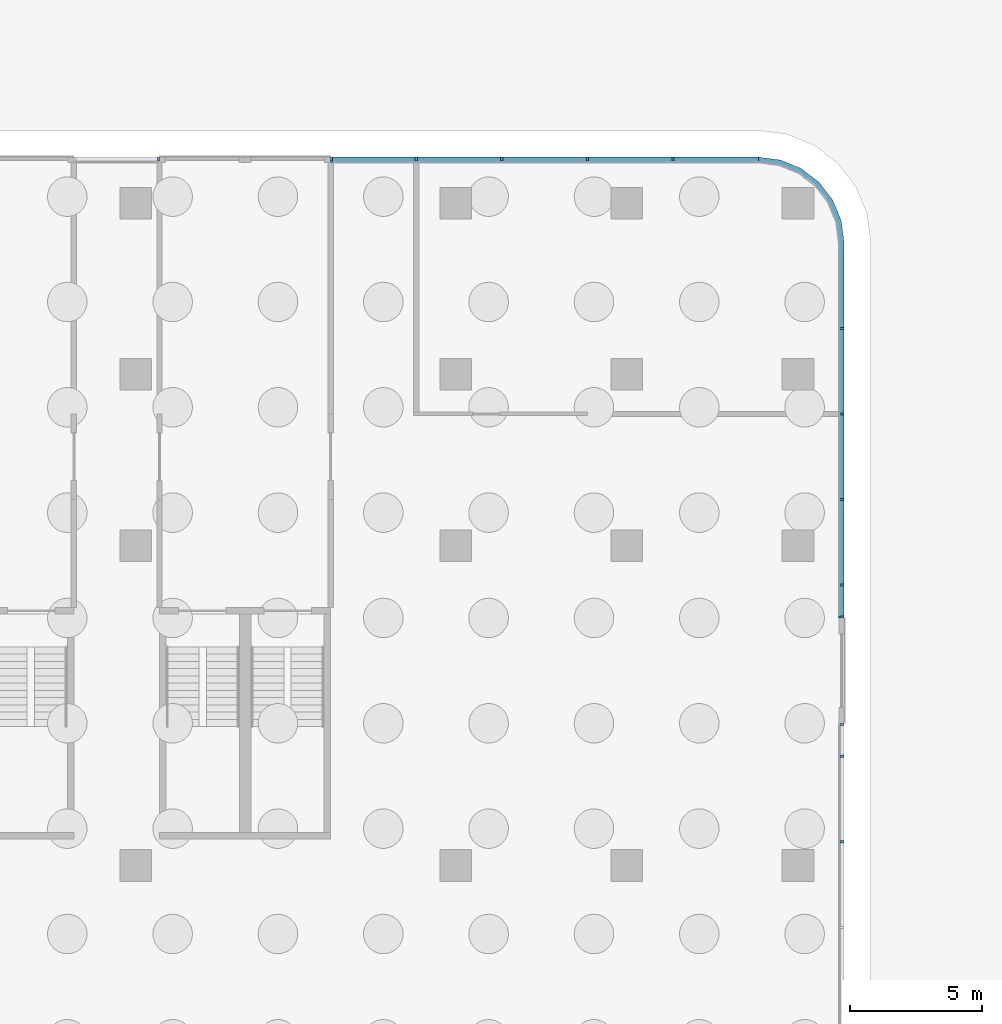
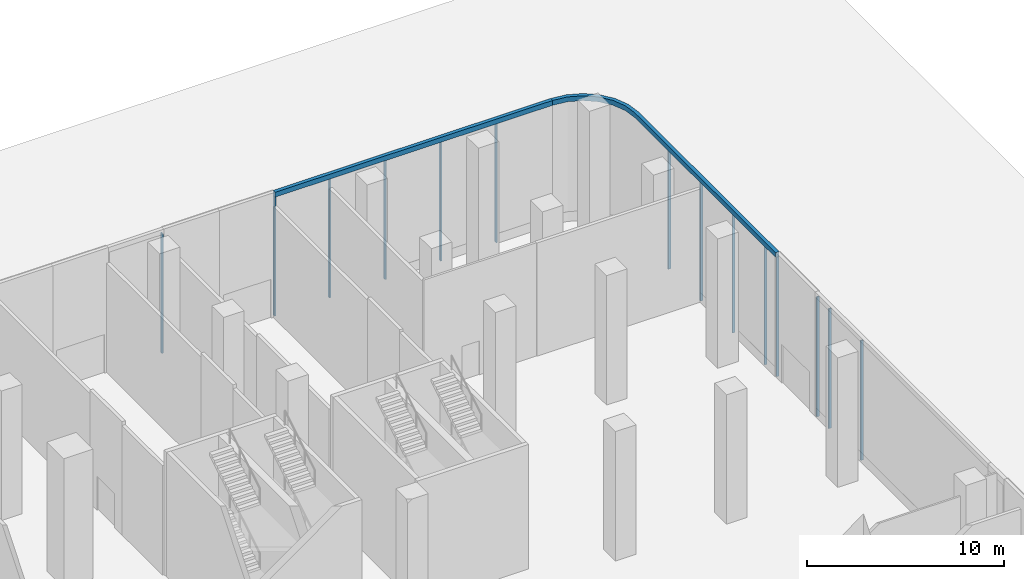
# One storey, part 12 of 27: 16 members, 4 elements without a shape of their own.
"""IFC4 building model written with IfcOpenShell, lengths in metres."""

from ifc_helpers import new_model, si_unit, direction, frame, origin, origin_2d, place, context, subcontext, project, spatial, polyline, rectangle, outline, extrude, source, transform, mapped, material, layer, layer_set, material_profile, profile_set, type_object, element, aggregate, save


model = new_model("IFC4")

# Units and contexts
model_context = context("Model", 3, precision=1e-05, world=origin(), true_north=direction((0.0, 1.0)))
body_context = subcontext(model_context, "Body", "Model", "MODEL_VIEW")
ifc_project = project(units=[si_unit("LENGTHUNIT", "METRE"), si_unit("AREAUNIT", "SQUARE_METRE"), si_unit("VOLUMEUNIT", "CUBIC_METRE"), si_unit("PLANEANGLEUNIT", "RADIAN"), si_unit("MASSUNIT", "GRAM", prefix="KILO")], contexts=[model_context])

# Site, building, storey
site_placement = place(None, origin())
site = spatial("IfcSite", under=ifc_project, at=site_placement, CompositionType="ELEMENT")
building_placement = place(site_placement, origin())
building = spatial("IfcBuilding", under=site, at=building_placement, Name="Trellis Farm Tower", CompositionType="ELEMENT")
storey_placement = place(building_placement, origin())
storey = spatial("IfcBuildingStorey", under=building, at=storey_placement, Name="L00", CompositionType="ELEMENT", Elevation=0.0)

# Curtain wall, member
ifc_material_1 = material(Name="Aluminium and glass curtain wall", Category="aluminium")
ifc_layer_1 = layer(ifc_material_1, 0.201904296875)
ifc_layer_set_1 = layer_set([ifc_layer_1], Name="SHOPFRONT CURTAIN WALL CW2")
curtain_wall_type = type_object("IfcCurtainWallType", Name="SHOPFRONT CURTAIN WALL CW2", PredefinedType="NOTDEFINED", material=ifc_layer_set_1)
placement_1 = place(storey_placement, origin())
curtain_wall_1 = element("IfcCurtainWall", 1, at=placement_1, inside=storey, type_object=curtain_wall_type, Name="CW2 004", PredefinedType="NOTDEFINED")
ifc_material_2 = material(Name="Aluminium extrusion 6063-T6", Category="aluminium")
ifc_layer_2 = layer(ifc_material_2, 0.205078125)
ifc_layer_set_2 = layer_set([ifc_layer_2], Name="Aluminium extrusion 6063-T6")
member_type_1 = type_object("IfcMemberType", Name="CW2 TRANSOM 205x300", PredefinedType="USERDEFINED", material=ifc_layer_set_2)
placement_2 = place(storey_placement, frame((0.0, 0.0, 7.39990234375)))
member_1 = element("IfcMember", 2, at=placement_2, type_object=member_type_1, Name="TR2 004", ObjectType="TRANSOM", PredefinedType="USERDEFINED", context=body_context, shape_type="SweptSolid", body=[
    extrude(outline(polyline([(45.5, 28.0), (45.5, 42.25), (45.38916015625, 43.091064453125), (45.064697265625, 43.875), (44.548095703125, 44.548095703125), (43.875, 45.064697265625), (43.091064453125, 45.38916015625), (42.25, 45.5), (42.236572265625, 45.294921875), (43.03759765625, 45.189453125), (43.771728515625, 44.885498046875), (44.40185546875, 44.40185546875), (44.885498046875, 43.771728515625), (45.189453125, 43.03759765625), (45.294921875, 42.236572265625), (45.294921875, 28.0), (45.5, 28.0)])), origin(), (0.0, 0.0, 1.0), 0.300048828125),
])

curtain_wall_2 = element("IfcCurtainWall", 3, at=placement_1, inside=storey, type_object=curtain_wall_type, Name="CW2 005", PredefinedType="NOTDEFINED")
member_2 = element("IfcMember", 4, at=placement_2, type_object=member_type_1, Name="TR2 005", ObjectType="TRANSOM", PredefinedType="USERDEFINED", context=body_context, shape_type="SweptSolid", body=[
    extrude(outline(polyline([(42.25, 45.5), (26.0, 45.5), (26.0, 45.294921875), (42.236572265625, 45.294921875), (42.25, 45.5)])), origin(), (0.0, 0.0, 1.0), 0.300048828125),
])

# Curtain wall, members
curtain_wall_3 = element("IfcCurtainWall", 5, at=placement_1, inside=storey, type_object=curtain_wall_type, Name="CW2 003", PredefinedType="NOTDEFINED")
ifc_material_profile = material_profile(ifc_material_2, rectangle(XDim=0.080078125, YDim=0.14990234375, at=origin_2d()), Name="MULLION 80x150")
ifc_profile_set = profile_set([ifc_material_profile], Name="Aluminium extrusion 6063-T6")
member_type_2 = type_object("IfcMemberType", Name="CW2 MULLION 80x150", PredefinedType="MULLION", material=ifc_profile_set)
shared_shape = source(origin(), body_context, "Body", "SweptSolid", [
    extrude(rectangle(XDim=0.080078125, YDim=0.14990234375, at=origin_2d()), origin(), (0.0, 0.0, 1.0), 7.39990234375),
])
member_3_placement = place(storey_placement, frame((45.425048828125, 19.5, 0.0), z_axis=(0.0, 0.0, 1.0), x_axis=(0.0, 1.0, 0.0)))
member_3 = element("IfcMember", 6, at=member_3_placement, type_object=member_type_2, Name="MU2 003-04", PredefinedType="MULLION", context=body_context, shape_type="MappedRepresentation", body=[
    mapped(shared_shape, transform((0.0, 0.0, 0.0))),
])
member_4_placement = place(storey_placement, frame((45.425048828125, 22.75, 0.0), z_axis=(0.0, 0.0, 1.0), x_axis=(0.0, 1.0, 0.0)))
member_4 = element("IfcMember", 7, at=member_4_placement, type_object=member_type_2, Name="MU2 003-05", PredefinedType="MULLION", context=body_context, shape_type="MappedRepresentation", body=[
    mapped(shared_shape, transform((0.0, 0.0, 0.0))),
])
member_5_placement = place(storey_placement, frame((45.425048828125, 23.9599609375, 0.0), z_axis=(0.0, 0.0, 1.0), x_axis=(0.0, 1.0, 0.0)))
member_5 = element("IfcMember", 8, at=member_5_placement, type_object=member_type_2, Name="MU2 003-06", PredefinedType="MULLION", context=body_context, shape_type="MappedRepresentation", body=[
    mapped(shared_shape, transform((0.0, 0.0, 0.0))),
])
aggregate(curtain_wall_3, [member_3, member_4, member_5])

# Member
member_6_placement = place(storey_placement, frame((45.425048828125, 28.0400390625, 0.0), z_axis=(0.0, 0.0, 1.0), x_axis=(0.0, 1.0, 0.0)))
member_6 = element("IfcMember", 9, at=member_6_placement, type_object=member_type_2, Name="MU2 004-01", PredefinedType="MULLION", context=body_context, shape_type="MappedRepresentation", body=[
    mapped(shared_shape, transform((0.0, 0.0, 0.0))),
])

member_7_placement = place(storey_placement, frame((45.425048828125, 29.25, 0.0), z_axis=(0.0, 0.0, 1.0), x_axis=(0.0, 1.0, 0.0)))
member_7 = element("IfcMember", 10, at=member_7_placement, type_object=member_type_2, Name="MU2 004-02", PredefinedType="MULLION", context=body_context, shape_type="MappedRepresentation", body=[
    mapped(shared_shape, transform((0.0, 0.0, 0.0))),
])

member_8_placement = place(storey_placement, frame((45.425048828125, 32.5, 0.0), z_axis=(0.0, 0.0, 1.0), x_axis=(0.0, 1.0, 0.0)))
member_8 = element("IfcMember", 11, at=member_8_placement, type_object=member_type_2, Name="MU2 004-03", PredefinedType="MULLION", context=body_context, shape_type="MappedRepresentation", body=[
    mapped(shared_shape, transform((0.0, 0.0, 0.0))),
])

member_9_placement = place(storey_placement, frame((45.425048828125, 35.75, 0.0), z_axis=(0.0, 0.0, 1.0), x_axis=(0.0, 1.0, 0.0)))
member_9 = element("IfcMember", 12, at=member_9_placement, type_object=member_type_2, Name="MU2 004-04", PredefinedType="MULLION", context=body_context, shape_type="MappedRepresentation", body=[
    mapped(shared_shape, transform((0.0, 0.0, 0.0))),
])

member_10_placement = place(storey_placement, frame((45.425048828125, 39.0, 0.0), z_axis=(0.0, 0.0, 1.0), x_axis=(0.0, 1.0, 0.0)))
member_10 = element("IfcMember", 13, at=member_10_placement, type_object=member_type_2, Name="MU2 004-05", PredefinedType="MULLION", context=body_context, shape_type="MappedRepresentation", body=[
    mapped(shared_shape, transform((0.0, 0.0, 0.0))),
])

aggregate(curtain_wall_1, [member_6, member_7, member_8, member_9, member_10, member_1])

member_11_placement = place(storey_placement, frame((39.0, 45.425048828125, 0.0), z_axis=(0.0, 0.0, 1.0), x_axis=(-1.0, 0.0, 0.0)))
member_11 = element("IfcMember", 14, at=member_11_placement, type_object=member_type_2, Name="MU2 005-01", PredefinedType="MULLION", context=body_context, shape_type="MappedRepresentation", body=[
    mapped(shared_shape, transform((0.0, 0.0, 0.0))),
])

member_12_placement = place(storey_placement, frame((35.75, 45.425048828125, 0.0), z_axis=(0.0, 0.0, 1.0), x_axis=(-1.0, 0.0, 0.0)))
member_12 = element("IfcMember", 15, at=member_12_placement, type_object=member_type_2, Name="MU2 005-02", PredefinedType="MULLION", context=body_context, shape_type="MappedRepresentation", body=[
    mapped(shared_shape, transform((0.0, 0.0, 0.0))),
])

member_13_placement = place(storey_placement, frame((32.5, 45.425048828125, 0.0), z_axis=(0.0, 0.0, 1.0), x_axis=(-1.0, 0.0, 0.0)))
member_13 = element("IfcMember", 16, at=member_13_placement, type_object=member_type_2, Name="MU2 005-03", PredefinedType="MULLION", context=body_context, shape_type="MappedRepresentation", body=[
    mapped(shared_shape, transform((0.0, 0.0, 0.0))),
])

member_14_placement = place(storey_placement, frame((29.25, 45.425048828125, 0.0), z_axis=(0.0, 0.0, 1.0), x_axis=(-1.0, 0.0, 0.0)))
member_14 = element("IfcMember", 17, at=member_14_placement, type_object=member_type_2, Name="MU2 005-04", PredefinedType="MULLION", context=body_context, shape_type="MappedRepresentation", body=[
    mapped(shared_shape, transform((0.0, 0.0, 0.0))),
])

member_15_placement = place(storey_placement, frame((26.0400390625, 45.425048828125, 0.0), z_axis=(0.0, 0.0, 1.0), x_axis=(-1.0, 0.0, 0.0)))
member_15 = element("IfcMember", 18, at=member_15_placement, type_object=member_type_2, Name="MU2 005-05", PredefinedType="MULLION", context=body_context, shape_type="MappedRepresentation", body=[
    mapped(shared_shape, transform((0.0, 0.0, 0.0))),
])

aggregate(curtain_wall_2, [member_11, member_12, member_13, member_14, member_15, member_2])

# Curtain wall, member
curtain_wall_4 = element("IfcCurtainWall", 19, at=placement_1, inside=storey, type_object=curtain_wall_type, Name="CW2 006", PredefinedType="NOTDEFINED")
member_16_placement = place(storey_placement, frame((19.4599609375, 45.425048828125, 0.0), z_axis=(0.0, 0.0, 1.0), x_axis=(-1.0, 0.0, 0.0)))
member_16 = element("IfcMember", 20, at=member_16_placement, type_object=member_type_2, Name="MU2 006-01", PredefinedType="MULLION", context=body_context, shape_type="MappedRepresentation", body=[
    mapped(shared_shape, transform((0.0, 0.0, 0.0))),
])
aggregate(curtain_wall_4, [member_16])

save(model, "model.ifc")
